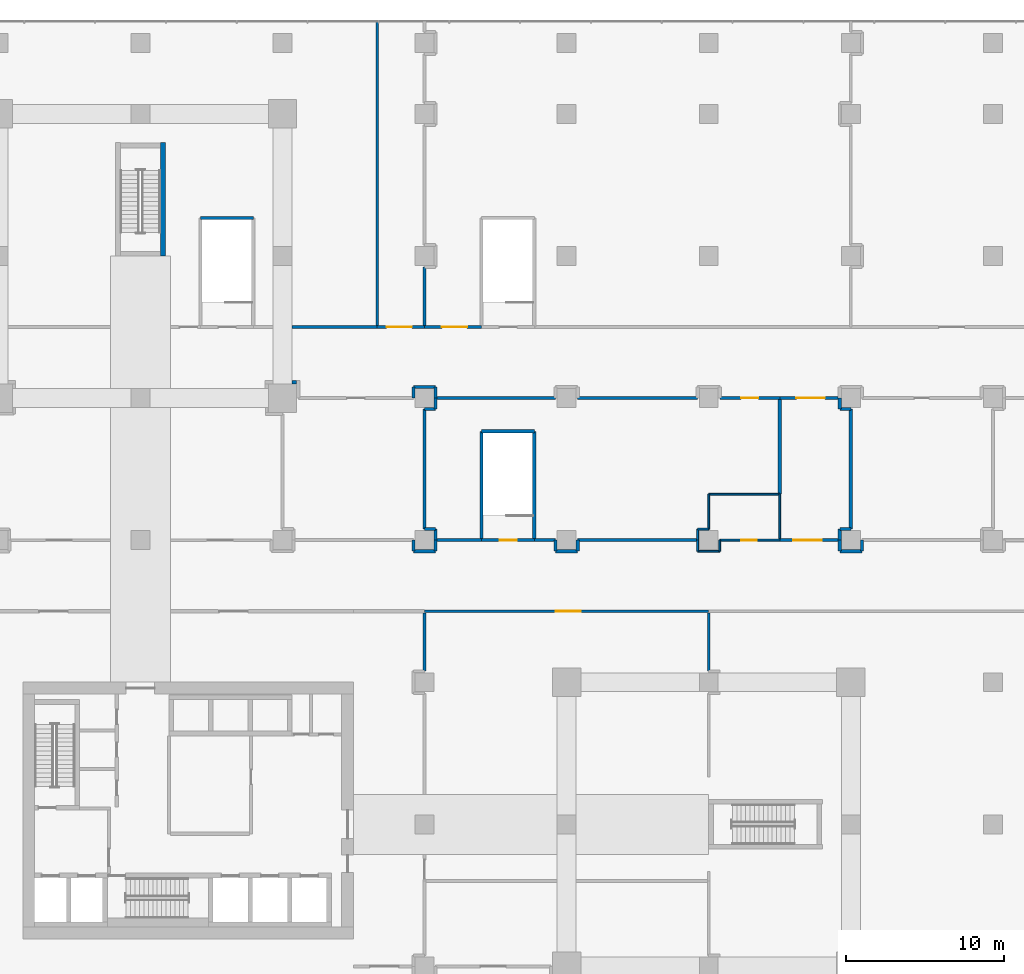
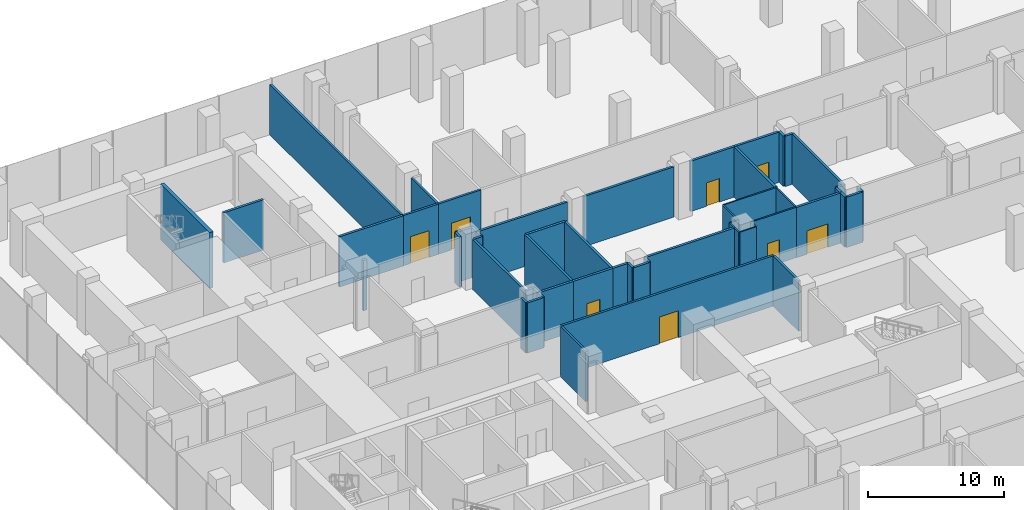
# One storey, part 27 of 36: 55 walls, 8 doors, 8 openings.
"""IFC4 building model written with IfcOpenShell, lengths in metres."""

import ifcopenshell
import ifcopenshell.guid

model = None  # the IFC model being written
_history = None  # IfcOwnerHistory: only IFC2X3 demands one
_inside = {}  # id of a spatial element -> (the spatial element, [elements in it])
_under = {}  # id of a project, library or spatial element -> (it, [spatial elements below it])
_declared = {}  # id of a project -> (the project, [libraries it declares])
_typed = {}  # id of a type object -> (the type object, [elements of that type])
_made_of = {}  # id of a material, layer set ... -> (it, [elements and type objects made of it])


def new_model(schema):
    """Start an empty IFC model of exactly this schema.

    Asked for "IFC4X3", IfcOpenShell would pick the latest addendum, in which some entities
    have other attributes; the version numbers below select the first issue.
    IFC2X3 requires an IfcOwnerHistory on every rooted entity: one is made here for all.
    """
    global model, _history
    if schema == "IFC4X3":
        model = ifcopenshell.file(schema_version=(4, 3, 0, 0))
    else:
        model = ifcopenshell.file(schema=schema)
    _inside.clear()
    _under.clear()
    _declared.clear()
    _typed.clear()
    _made_of.clear()
    _history = None
    if model.schema == "IFC2X3":
        org = make("IfcOrganization", Name="unknown")
        user = make(
            "IfcPersonAndOrganization",
            ThePerson=make("IfcPerson", FamilyName="unknown"),
            TheOrganization=org,
        )
        app = make(
            "IfcApplication",
            ApplicationDeveloper=org,
            Version="unknown",
            ApplicationFullName="unknown",
            ApplicationIdentifier="unknown",
        )
        _history = make(
            "IfcOwnerHistory",
            OwningUser=user,
            OwningApplication=app,
            ChangeAction="ADDED",
            CreationDate=0,
        )
    return model


def make(cls, **values):
    """One entity of the class cls with the attributes given. An attribute that is None is left unset."""
    return model.create_entity(
        cls, **{name: value for name, value in values.items() if value is not None}
    )


def rooted(cls, **values):
    """An entity with a GlobalId (a new one), such as an element, a storey or a relation."""
    return make(cls, GlobalId=ifcopenshell.guid.new(), OwnerHistory=_history, **values)


def si_unit(unit_type, name, prefix=None):
    """IfcSIUnit, for example si_unit("LENGTHUNIT", "METRE", prefix="MILLI")."""
    return make("IfcSIUnit", UnitType=unit_type, Prefix=prefix, Name=name)


def assignment(units):
    """IfcUnitAssignment: the units of a project."""
    return None if units is None else make("IfcUnitAssignment", Units=units)


def point(xyz):
    """IfcCartesianPoint."""
    return None if xyz is None else make("IfcCartesianPoint", Coordinates=xyz)


def direction(xyz):
    """IfcDirection."""
    return None if xyz is None else make("IfcDirection", DirectionRatios=xyz)


def frame(location, z_axis=None, x_axis=None):
    """IfcAxis2Placement3D, a coordinate frame: its origin and axes. An axis left out is left unset."""
    return make(
        "IfcAxis2Placement3D",
        Location=point(location),
        Axis=direction(z_axis),
        RefDirection=direction(x_axis),
    )


def frame_2d(location, x_axis=None):
    """IfcAxis2Placement2D, a coordinate frame in the plane: its origin and x axis."""
    return make(
        "IfcAxis2Placement2D", Location=point(location), RefDirection=direction(x_axis)
    )


def origin():
    """The frame at (0, 0, 0) with its axes left unset."""
    return frame((0.0, 0.0, 0.0))


def place(relative_to, where):
    """IfcLocalPlacement: puts the frame where relative to a parent placement (None: the world)."""
    return make(
        "IfcLocalPlacement", PlacementRelTo=relative_to, RelativePlacement=where
    )


def context(
    kind, dimensions, precision=None, world=None, true_north=None, identifier=None
):
    """IfcGeometricRepresentationContext, for example the 3D "Model" context."""
    return make(
        "IfcGeometricRepresentationContext",
        ContextIdentifier=identifier,
        ContextType=kind,
        CoordinateSpaceDimension=dimensions,
        Precision=precision,
        WorldCoordinateSystem=world,
        TrueNorth=true_north,
    )


def subcontext(parent, identifier, kind, view, scale=None):
    """IfcGeometricRepresentationSubContext, for example "Body" below "Model"."""
    return make(
        "IfcGeometricRepresentationSubContext",
        ContextIdentifier=identifier,
        ContextType=kind,
        ParentContext=parent,
        TargetScale=scale,
        TargetView=view,
    )


def project(units=None, contexts=None):
    """IfcProject with its units and contexts."""
    return rooted(
        "IfcProject",
        Name="project",
        RepresentationContexts=contexts,
        UnitsInContext=assignment(units),
    )


def spatial(cls, under=None, at=None, **own):
    """A site, building, storey or space (cls), placed at a placement, below another one or the project."""
    s = rooted(cls, ObjectPlacement=at, **own)
    if under is not None:
        _under.setdefault(under.id(), (under, []))[1].append(s)
    return s


def profile(cls, at=None, kind="AREA", **sizes):
    """A parametric profile (cls). Its sizes go by their IFC names, for example OverallWidth=200.0."""
    return make(cls, ProfileType=kind, Position=at, **sizes)


def rectangle(**sizes):
    """IfcRectangleProfileDef."""
    return profile("IfcRectangleProfileDef", **sizes)


def extrude(swept, where, along, depth):
    """IfcExtrudedAreaSolid: the profile swept, set in the frame where, extruded along a direction by depth."""
    return make(
        "IfcExtrudedAreaSolid",
        SweptArea=swept,
        Position=where,
        ExtrudedDirection=direction(along),
        Depth=depth,
    )


def shape(context_of_items, identifier, shape_type, items):
    """IfcShapeRepresentation: the items that make up one representation, for example the "Body"."""
    return make(
        "IfcShapeRepresentation",
        ContextOfItems=context_of_items,
        RepresentationIdentifier=identifier,
        RepresentationType=shape_type,
        Items=items,
    )


def material(Name=None, Category=None):
    """IfcMaterial."""
    return make("IfcMaterial", Name=Name, Category=Category)


def layer(
    of_material, thickness, ventilated=None, Name=None, Category=None, Priority=None
):
    """IfcMaterialLayer: one layer of a wall or slab, of a material (None: an air gap)."""
    return make(
        "IfcMaterialLayer",
        Material=of_material,
        LayerThickness=thickness,
        IsVentilated=ventilated,
        Name=Name,
        Category=Category,
        Priority=Priority,
    )


def layer_set(layers, Name=None):
    """IfcMaterialLayerSet."""
    return make("IfcMaterialLayerSet", MaterialLayers=layers, LayerSetName=Name)


def made_of(thing, what):
    """Note that an element or type object is made of a material, layer set ...; save() writes the relation."""
    if what is not None:
        _made_of.setdefault(what.id(), (what, []))[1].append(thing)
    return thing


def type_object(cls, material=None, **own):
    """A type object (cls), such as IfcWallType, which elements share."""
    return made_of(rooted(cls, **own), material)


def element(
    cls,
    number,
    at=None,
    inside=None,
    cuts=None,
    type_object=None,
    material=None,
    context=None,
    identifier="Body",
    shape_type=None,
    held_by="IfcProductDefinitionShape",
    body=None,
    shapes=None,
    **own,
):
    """One element of the class cls, such as IfcWall. Its Tag is "e" and its number.

    at: its placement. inside: the storey or other place that contains it. cuts: it is an
    opening in that element (IfcRelVoidsElement). A single representation is given by context,
    identifier, shape_type and body (its items); several are given by shapes. held_by: the class
    of the entity that holds the representations. save() writes the other relations.
    """
    e = rooted(cls, Tag="e%d" % number, ObjectPlacement=at, **own)
    if body is not None:
        shapes = [shape(context, identifier, shape_type, body)]
    if shapes is not None:
        e.Representation = make(held_by, Representations=shapes)
    if inside is not None:
        _inside.setdefault(inside.id(), (inside, []))[1].append(e)
    if cuts is not None:
        rooted(
            "IfcRelVoidsElement", RelatingBuildingElement=cuts, RelatedOpeningElement=e
        )
    if type_object is not None:
        _typed.setdefault(type_object.id(), (type_object, []))[1].append(e)
    return made_of(e, material)


def fill(opening, filler):
    """IfcRelFillsElement: the door or window that sits in an opening."""
    return rooted(
        "IfcRelFillsElement",
        RelatingOpeningElement=opening,
        RelatedBuildingElement=filler,
    )


def aggregate(whole, parts):
    """IfcRelAggregates: a whole, such as a stair, and the parts it consists of."""
    return rooted("IfcRelAggregates", RelatingObject=whole, RelatedObjects=parts)


def save(model, path):
    """Write the relations noted so far, then the file.

    IfcRelAggregates (storeys below a building ...), IfcRelContainedInSpatialStructure (elements
    in a storey), IfcRelDefinesByType, IfcRelAssociatesMaterial and IfcRelDeclares: one each for
    every whole, place, type object, material and project.
    """
    for whole, parts in _under.values():
        aggregate(whole, parts)
    for where, things in _inside.values():
        rooted(
            "IfcRelContainedInSpatialStructure",
            RelatedElements=things,
            RelatingStructure=where,
        )
    for kind, things in _typed.values():
        rooted("IfcRelDefinesByType", RelatedObjects=things, RelatingType=kind)
    for what, things in _made_of.values():
        rooted("IfcRelAssociatesMaterial", RelatedObjects=things, RelatingMaterial=what)
    for by, libraries in _declared.values():
        rooted("IfcRelDeclares", RelatingContext=by, RelatedDefinitions=libraries)
    model.write(path)


model = new_model("IFC4")

# Units and contexts
model_context = context("Model", 3, precision=1e-05, world=origin(), true_north=direction((0.0, 1.0)))
body_context = subcontext(model_context, "Body", "Model", "MODEL_VIEW")
ifc_project = project(units=[si_unit("LENGTHUNIT", "METRE"), si_unit("AREAUNIT", "SQUARE_METRE"), si_unit("VOLUMEUNIT", "CUBIC_METRE"), si_unit("PLANEANGLEUNIT", "RADIAN"), si_unit("MASSUNIT", "GRAM", prefix="KILO")], contexts=[model_context])

# Site, building, storey
site_placement = place(None, origin())
site = spatial("IfcSite", under=ifc_project, at=site_placement, CompositionType="ELEMENT")
building_placement = place(site_placement, origin())
building = spatial("IfcBuilding", under=site, at=building_placement, Name="Plateau Cross Towers", CompositionType="ELEMENT")
storey_placement = place(building_placement, frame((0.0, 0.0, 21.800048828125)))
storey = spatial("IfcBuildingStorey", under=building, at=storey_placement, Name="L04", CompositionType="ELEMENT", Elevation=21.800048828125)

# Walls
ifc_material_1 = material(Name="Dense masonry block, plastered, acoustic lining", Category="masonry")
ifc_layer_1 = layer(ifc_material_1, 0.179931640625)
ifc_layer_set_1 = layer_set([ifc_layer_1], Name="Dense masonry block, plastered, acoustic lining")
wall_type_1 = type_object("IfcWallType", Name="Plant room acoustic wall 180", PredefinedType="PARTITIONING", material=ifc_layer_set_1)
wall_1_placement = place(storey_placement, frame((27.0, 44.300048828125, 0.0), z_axis=(0.0, 0.0, 1.0), x_axis=(0.0, -1.0, 0.0)))
element("IfcWall", 1, at=wall_1_placement, inside=storey, type_object=wall_type_1, Name="Partition wall", PredefinedType="PARTITIONING", context=body_context, shape_type="SweptSolid", body=[
    extrude(rectangle(XDim=3.800048828125, YDim=0.179931640625, at=frame_2d((1.89990234375, 0.0))), origin(), (0.0, 0.0, 1.0), 4.5),
])
wall_2_placement = place(storey_placement, frame((24.0, 59.85009765625, 0.0), z_axis=(0.0, 0.0, 1.0), x_axis=(0.0, -1.0, 0.0)))
element("IfcWall", 2, at=wall_2_placement, inside=storey, type_object=wall_type_1, Name="Partition wall", PredefinedType="PARTITIONING", context=body_context, shape_type="SweptSolid", body=[
    extrude(rectangle(XDim=19.35009765625, YDim=0.179931640625, at=frame_2d((9.675048828125, 0.0))), origin(), (0.0, 0.0, 1.0), 4.5),
])

# Wall, opening, door
wall_3_placement = place(storey_placement, frame((45.0, 22.5, 0.0), z_axis=(0.0, 0.0, 1.0), x_axis=(-1.0, 0.0, 0.0)))
wall_3 = element("IfcWall", 3, at=wall_3_placement, inside=storey, type_object=wall_type_1, Name="Partition wall", PredefinedType="PARTITIONING", context=body_context, shape_type="SweptSolid", body=[
    extrude(rectangle(XDim=18.0, YDim=0.179931640625, at=frame_2d((9.0, 0.0))), origin(), (0.0, 0.0, 1.0), 4.5),
])
opening_1_placement = place(wall_3_placement, frame((8.10009765625, 0.0, 0.0)))
opening_1 = element("IfcOpeningElement", 4, at=opening_1_placement, cuts=wall_3, Name="Opening 04-28", PredefinedType="OPENING", context=body_context, shape_type="SweptSolid", body=[
    extrude(rectangle(XDim=1.60009765625, YDim=2.39990234375, at=frame_2d((0.800048828125, 1.199951171875))), frame((0.0, 0.099853515625, 0.0), z_axis=(0.0, -1.0, 0.0), x_axis=(1.0, 0.0, 0.0)), (0.0, 0.0, 1.0), 0.199951171875),
])
ifc_material_2 = material(Name="Steel, fire-resisting double leaf with louvre panel", Category="steel")
door_type_1 = type_object("IfcDoorType", Name="Plant room double door 1600x2400", OperationType="NOTDEFINED", PredefinedType="DOOR", material=ifc_material_2)
door_1_placement = place(opening_1_placement, origin())
door_1 = element("IfcDoor", 5, at=door_1_placement, inside=storey, type_object=door_type_1, Name="Door 04-28", OperationType="SINGLE_SWING_LEFT", OverallHeight=2.39990234375, OverallWidth=1.60009765625, PredefinedType="DOOR", context=body_context, shape_type="SweptSolid", body=[
    extrude(rectangle(XDim=1.60009765625, YDim=2.39990234375, at=frame_2d((0.800048828125, 1.199951171875))), frame((0.0, 0.02490234375, 0.0), z_axis=(0.0, -1.0, 0.0), x_axis=(1.0, 0.0, 0.0)), (0.0, 0.0, 1.0), 0.050048828125),
])
fill(opening_1, door_1)

# Walls
for number, where, z_axis, x_axis, name in (
    (6, (27.0, 22.39990234375, 0.0), (0.0, 0.0, 1.0), (0.0, -1.0, 0.0), "Partition wall"),
    (7, (45.0, 22.39990234375, 0.0), (0.0, 0.0, 1.0), (0.0, -1.0, 0.0), "Partition wall"),
):
    element("IfcWall", number, at=place(storey_placement, frame(where, z_axis=z_axis, x_axis=x_axis)), inside=storey, type_object=wall_type_1, Name=name, PredefinedType="PARTITIONING", context=body_context, shape_type="SweptSolid", body=[
        extrude(rectangle(XDim=3.699951171875, YDim=0.179931640625, at=frame_2d((1.85009765625, 0.0))), origin(), (0.0, 0.0, 1.0), 4.5),
    ])

# Wall, opening, door
wall_4_placement = place(storey_placement, frame((27.0, 40.5, 0.0), z_axis=(0.0, 0.0, 1.0), x_axis=(1.0, 0.0, 0.0)))
wall_4 = element("IfcWall", 8, at=wall_4_placement, inside=storey, type_object=wall_type_1, Name="Partition wall", PredefinedType="PARTITIONING", context=body_context, shape_type="SweptSolid", body=[
    extrude(rectangle(XDim=3.60009765625, YDim=0.179931640625, at=frame_2d((1.800048828125, 0.0))), origin(), (0.0, 0.0, 1.0), 4.5),
])
opening_2_placement = place(wall_4_placement, frame((1.10009765625, 0.0, 0.0)))
opening_2 = element("IfcOpeningElement", 9, at=opening_2_placement, cuts=wall_4, Name="Opening 04-33", PredefinedType="OPENING", context=body_context, shape_type="SweptSolid", body=[
    extrude(rectangle(XDim=1.60009765625, YDim=2.39990234375, at=frame_2d((0.800048828125, 1.199951171875))), frame((0.0, 0.099853515625, 0.0), z_axis=(0.0, -1.0, 0.0), x_axis=(1.0, 0.0, 0.0)), (0.0, 0.0, 1.0), 0.199951171875),
])
door_2_placement = place(opening_2_placement, origin())
door_2 = element("IfcDoor", 10, at=door_2_placement, inside=storey, type_object=door_type_1, Name="Door 04-33", OperationType="SINGLE_SWING_LEFT", OverallHeight=2.39990234375, OverallWidth=1.60009765625, PredefinedType="DOOR", context=body_context, shape_type="SweptSolid", body=[
    extrude(rectangle(XDim=1.60009765625, YDim=2.39990234375, at=frame_2d((0.800048828125, 1.199951171875))), frame((0.0, 0.02490234375, 0.0), z_axis=(0.0, -1.0, 0.0), x_axis=(1.0, 0.0, 0.0)), (0.0, 0.0, 1.0), 0.050048828125),
])
fill(opening_2, door_2)

wall_5_placement = place(storey_placement, frame((24.0, 40.5, 0.0), z_axis=(0.0, 0.0, 1.0), x_axis=(1.0, 0.0, 0.0)))
wall_5 = element("IfcWall", 11, at=wall_5_placement, inside=storey, type_object=wall_type_1, Name="Partition wall", PredefinedType="PARTITIONING", context=body_context, shape_type="SweptSolid", body=[
    extrude(rectangle(XDim=3.0, YDim=0.179931640625, at=frame_2d((1.5, 0.0))), origin(), (0.0, 0.0, 1.0), 4.5),
])
opening_3_placement = place(wall_5_placement, frame((0.60009765625, 0.0, 0.0)))
opening_3 = element("IfcOpeningElement", 12, at=opening_3_placement, cuts=wall_5, Name="Opening 04-32", PredefinedType="OPENING", context=body_context, shape_type="SweptSolid", body=[
    extrude(rectangle(XDim=1.60009765625, YDim=2.39990234375, at=frame_2d((0.800048828125, 1.199951171875))), frame((0.0, 0.099853515625, 0.0), z_axis=(0.0, -1.0, 0.0), x_axis=(1.0, 0.0, 0.0)), (0.0, 0.0, 1.0), 0.199951171875),
])
door_3_placement = place(opening_3_placement, origin())
door_3 = element("IfcDoor", 13, at=door_3_placement, inside=storey, type_object=door_type_1, Name="Door 04-32", OperationType="SINGLE_SWING_LEFT", OverallHeight=2.39990234375, OverallWidth=1.60009765625, PredefinedType="DOOR", context=body_context, shape_type="SweptSolid", body=[
    extrude(rectangle(XDim=1.60009765625, YDim=2.39990234375, at=frame_2d((0.800048828125, 1.199951171875))), frame((0.0, 0.02490234375, 0.0), z_axis=(0.0, -1.0, 0.0), x_axis=(1.0, 0.0, 0.0)), (0.0, 0.0, 1.0), 0.050048828125),
])
fill(opening_3, door_3)

ifc_material_3 = material(Name="Gypsum board on steel studs, two layers each side", Category="steel")
ifc_layer_2 = layer(ifc_material_3, 0.199951171875)
ifc_layer_set_2 = layer_set([ifc_layer_2], Name="Gypsum board on steel studs, two layers each side")
wall_type_2 = type_object("IfcWallType", Name="Podium compartment wall 200", PredefinedType="PARTITIONING", material=ifc_layer_set_2)
wall_6_placement = place(storey_placement, frame((49.5, 36.0, 0.0), z_axis=(0.0, 0.0, 1.0), x_axis=(-1.0, 0.0, 0.0)))
wall_6 = element("IfcWall", 14, at=wall_6_placement, inside=storey, type_object=wall_type_2, Name="Partition wall", PredefinedType="PARTITIONING", context=body_context, shape_type="SweptSolid", body=[
    extrude(rectangle(XDim=3.800048828125, YDim=0.199951171875, at=frame_2d((1.89990234375, 0.0))), origin(), (0.0, 0.0, 1.0), 4.5),
])
opening_4_placement = place(wall_6_placement, frame((1.35009765625, 0.0, 0.0)))
opening_4 = element("IfcOpeningElement", 15, at=opening_4_placement, cuts=wall_6, Name="Opening 04-20", PredefinedType="OPENING", context=body_context, shape_type="SweptSolid", body=[
    extrude(rectangle(XDim=1.10009765625, YDim=2.10009765625, at=frame_2d((0.550048828125, 1.050048828125))), frame((0.0, 0.10986328125, 0.0), z_axis=(0.0, -1.0, 0.0), x_axis=(1.0, 0.0, 0.0)), (0.0, 0.0, 1.0), 0.219970703125),
])
ifc_material_4 = material(Name="Timber, fire-resisting leaf", Category="wood")
door_type_2 = type_object("IfcDoorType", Name="Podium fire door 1100", OperationType="NOTDEFINED", PredefinedType="DOOR", material=ifc_material_4)
door_4_placement = place(opening_4_placement, origin())
door_4 = element("IfcDoor", 16, at=door_4_placement, inside=storey, type_object=door_type_2, Name="Door 04-20", OperationType="SINGLE_SWING_LEFT", OverallHeight=2.10009765625, OverallWidth=1.10009765625, PredefinedType="DOOR", context=body_context, shape_type="SweptSolid", body=[
    extrude(rectangle(XDim=1.10009765625, YDim=2.10009765625, at=frame_2d((0.550048828125, 1.050048828125))), frame((0.0, 0.02490234375, 0.0), z_axis=(0.0, -1.0, 0.0), x_axis=(1.0, 0.0, 0.0)), (0.0, 0.0, 1.0), 0.050048828125),
])
fill(opening_4, door_4)

# Walls
ifc_material_5 = material(Name="Gypsum board on steel studs", Category="steel")
ifc_layer_3 = layer(ifc_material_5, 0.199951171875)
ifc_layer_set_3 = layer_set([ifc_layer_3], Name="Gypsum board on steel studs")
wall_type_3 = type_object("IfcWallType", Name="Podium partition 200", PredefinedType="PARTITIONING", material=ifc_layer_set_3)
for number, where, z_axis, x_axis, name in (
    (17, (44.300048828125, 36.0, 0.0), (0.0, 0.0, 1.0), (-1.0, 0.0, 0.0), "Partition wall"),
    (18, (35.300048828125, 36.0, 0.0), (0.0, 0.0, 1.0), (-1.0, 0.0, 0.0), "Partition wall"),
):
    element("IfcWall", number, at=place(storey_placement, frame(where, z_axis=z_axis, x_axis=x_axis)), inside=storey, type_object=wall_type_3, Name=name, PredefinedType="PARTITIONING", context=body_context, shape_type="SweptSolid", body=[
        extrude(rectangle(XDim=7.60009765625, YDim=0.199951171875, at=frame_2d((3.800048828125, 0.0))), origin(), (0.0, 0.0, 1.0), 4.5),
    ])
wall_7_placement = place(storey_placement, frame((27.699951171875, 36.0, 0.0), z_axis=(0.0, 0.0, 1.0), x_axis=(0.0, 1.0, 0.0)))
element("IfcWall", 19, at=wall_7_placement, inside=storey, type_object=wall_type_3, Name="Partition wall", PredefinedType="PARTITIONING", context=body_context, shape_type="SweptSolid", body=[
    extrude(rectangle(XDim=0.699951171875, YDim=0.199951171875, at=frame_2d((0.35009765625, 0.0))), origin(), (0.0, 0.0, 1.0), 4.5),
])
wall_8_placement = place(storey_placement, frame((27.699951171875, 36.699951171875, 0.0), z_axis=(0.0, 0.0, 1.0), x_axis=(-1.0, 0.0, 0.0)))
element("IfcWall", 20, at=wall_8_placement, inside=storey, type_object=wall_type_3, Name="Partition wall", PredefinedType="PARTITIONING", context=body_context, shape_type="SweptSolid", body=[
    extrude(rectangle(XDim=1.39990234375, YDim=0.199951171875, at=frame_2d((0.699951171875, 0.0))), origin(), (0.0, 0.0, 1.0), 4.5),
])
wall_9_placement = place(storey_placement, frame((26.300048828125, 36.699951171875, 0.0), z_axis=(0.0, 0.0, 1.0), x_axis=(0.0, -1.0, 0.0)))
element("IfcWall", 21, at=wall_9_placement, inside=storey, type_object=wall_type_3, Name="Partition wall", PredefinedType="PARTITIONING", context=body_context, shape_type="SweptSolid", body=[
    extrude(rectangle(XDim=0.699951171875, YDim=0.199951171875, at=frame_2d((0.35009765625, 0.0))), origin(), (0.0, 0.0, 1.0), 4.5),
])
wall_10_placement = place(storey_placement, frame((18.89990234375, 37.0, 0.0), z_axis=(0.0, 0.0, 1.0), x_axis=(-1.0, 0.0, 0.0)))
element("IfcWall", 22, at=wall_10_placement, inside=storey, type_object=wall_type_3, Name="Partition wall", PredefinedType="PARTITIONING", context=body_context, shape_type="SweptSolid", body=[
    extrude(rectangle(XDim=0.2998046875, YDim=0.199951171875, at=frame_2d((0.14990234375, 0.0))), origin(), (0.0, 0.0, 1.0), 4.5),
])
wall_11_placement = place(storey_placement, frame((33.949951171875, 27.0, 0.0), z_axis=(0.0, 0.0, 1.0), x_axis=(1.0, 0.0, 0.0)))
element("IfcWall", 23, at=wall_11_placement, inside=storey, type_object=wall_type_3, Name="Partition wall", PredefinedType="PARTITIONING", context=body_context, shape_type="SweptSolid", body=[
    extrude(rectangle(XDim=1.35009765625, YDim=0.199951171875, at=frame_2d((0.675048828125, 0.0))), origin(), (0.0, 0.0, 1.0), 4.5),
])
wall_12_placement = place(storey_placement, frame((35.300048828125, 27.0, 0.0), z_axis=(0.0, 0.0, 1.0), x_axis=(0.0, -1.0, 0.0)))
element("IfcWall", 24, at=wall_12_placement, inside=storey, type_object=wall_type_3, Name="Partition wall", PredefinedType="PARTITIONING", context=body_context, shape_type="SweptSolid", body=[
    extrude(rectangle(XDim=0.699951171875, YDim=0.199951171875, at=frame_2d((0.35009765625, 0.0))), origin(), (0.0, 0.0, 1.0), 4.5),
])
wall_13_placement = place(storey_placement, frame((35.300048828125, 26.300048828125, 0.0), z_axis=(0.0, 0.0, 1.0), x_axis=(1.0, 0.0, 0.0)))
element("IfcWall", 25, at=wall_13_placement, inside=storey, type_object=wall_type_3, Name="Partition wall", PredefinedType="PARTITIONING", context=body_context, shape_type="SweptSolid", body=[
    extrude(rectangle(XDim=1.39990234375, YDim=0.199951171875, at=frame_2d((0.699951171875, 0.0))), origin(), (0.0, 0.0, 1.0), 4.5),
])
wall_14_placement = place(storey_placement, frame((36.699951171875, 26.300048828125, 0.0), z_axis=(0.0, 0.0, 1.0), x_axis=(0.0, 1.0, 0.0)))
element("IfcWall", 26, at=wall_14_placement, inside=storey, type_object=wall_type_3, Name="Partition wall", PredefinedType="PARTITIONING", context=body_context, shape_type="SweptSolid", body=[
    extrude(rectangle(XDim=0.699951171875, YDim=0.199951171875, at=frame_2d((0.35009765625, 0.0))), origin(), (0.0, 0.0, 1.0), 4.5),
])
wall_15_placement = place(storey_placement, frame((36.699951171875, 27.0, 0.0), z_axis=(0.0, 0.0, 1.0), x_axis=(1.0, 0.0, 0.0)))
element("IfcWall", 27, at=wall_15_placement, inside=storey, type_object=wall_type_3, Name="Partition wall", PredefinedType="PARTITIONING", context=body_context, shape_type="SweptSolid", body=[
    extrude(rectangle(XDim=7.60009765625, YDim=0.199951171875, at=frame_2d((3.800048828125, 0.0))), origin(), (0.0, 0.0, 1.0), 4.5),
])
for number, where, z_axis, x_axis, name in (
    (28, (53.300048828125, 36.0, 0.0), (0.0, 0.0, 1.0), (0.0, -1.0, 0.0), "Partition wall"),
    (29, (53.300048828125, 35.300048828125, 0.0), (0.0, 0.0, 1.0), (1.0, 0.0, 0.0), "Partition wall"),
):
    element("IfcWall", number, at=place(storey_placement, frame(where, z_axis=z_axis, x_axis=x_axis)), inside=storey, type_object=wall_type_3, Name=name, PredefinedType="PARTITIONING", context=body_context, shape_type="SweptSolid", body=[
        extrude(rectangle(XDim=0.699951171875, YDim=0.199951171875, at=frame_2d((0.35009765625, 0.0))), origin(), (0.0, 0.0, 1.0), 4.5),
    ])
wall_16_placement = place(storey_placement, frame((54.0, 35.300048828125, 0.0), z_axis=(0.0, 0.0, 1.0), x_axis=(0.0, -1.0, 0.0)))
element("IfcWall", 30, at=wall_16_placement, inside=storey, type_object=wall_type_3, Name="Partition wall", PredefinedType="PARTITIONING", context=body_context, shape_type="SweptSolid", body=[
    extrude(rectangle(XDim=7.60009765625, YDim=0.199951171875, at=frame_2d((3.800048828125, 0.0))), origin(), (0.0, 0.0, 1.0), 4.5),
])
for number, where, z_axis, x_axis, name in (
    (31, (54.0, 27.699951171875, 0.0), (0.0, 0.0, 1.0), (-1.0, 0.0, 0.0), "Partition wall"),
    (32, (53.300048828125, 27.699951171875, 0.0), (0.0, 0.0, 1.0), (0.0, -1.0, 0.0), "Partition wall"),
    (33, (26.300048828125, 27.0, 0.0), (0.0, 0.0, 1.0), (0.0, -1.0, 0.0), "Partition wall"),
):
    element("IfcWall", number, at=place(storey_placement, frame(where, z_axis=z_axis, x_axis=x_axis)), inside=storey, type_object=wall_type_3, Name=name, PredefinedType="PARTITIONING", context=body_context, shape_type="SweptSolid", body=[
        extrude(rectangle(XDim=0.699951171875, YDim=0.199951171875, at=frame_2d((0.35009765625, 0.0))), origin(), (0.0, 0.0, 1.0), 4.5),
    ])
wall_17_placement = place(storey_placement, frame((26.300048828125, 26.300048828125, 0.0), z_axis=(0.0, 0.0, 1.0), x_axis=(1.0, 0.0, 0.0)))
element("IfcWall", 34, at=wall_17_placement, inside=storey, type_object=wall_type_3, Name="Partition wall", PredefinedType="PARTITIONING", context=body_context, shape_type="SweptSolid", body=[
    extrude(rectangle(XDim=1.39990234375, YDim=0.199951171875, at=frame_2d((0.699951171875, 0.0))), origin(), (0.0, 0.0, 1.0), 4.5),
])
for number, where, z_axis, x_axis, name in (
    (35, (27.699951171875, 26.300048828125, 0.0), (0.0, 0.0, 1.0), (0.0, 1.0, 0.0), "Partition wall"),
    (36, (53.300048828125, 27.0, 0.0), (0.0, 0.0, 1.0), (0.0, -1.0, 0.0), "Partition wall"),
):
    element("IfcWall", number, at=place(storey_placement, frame(where, z_axis=z_axis, x_axis=x_axis)), inside=storey, type_object=wall_type_3, Name=name, PredefinedType="PARTITIONING", context=body_context, shape_type="SweptSolid", body=[
        extrude(rectangle(XDim=0.699951171875, YDim=0.199951171875, at=frame_2d((0.35009765625, 0.0))), origin(), (0.0, 0.0, 1.0), 4.5),
    ])
wall_18_placement = place(storey_placement, frame((53.300048828125, 26.300048828125, 0.0), z_axis=(0.0, 0.0, 1.0), x_axis=(1.0, 0.0, 0.0)))
element("IfcWall", 37, at=wall_18_placement, inside=storey, type_object=wall_type_3, Name="Partition wall", PredefinedType="PARTITIONING", context=body_context, shape_type="SweptSolid", body=[
    extrude(rectangle(XDim=1.39990234375, YDim=0.199951171875, at=frame_2d((0.699951171875, 0.0))), origin(), (0.0, 0.0, 1.0), 4.5),
])
for number, where, z_axis, x_axis, name in (
    (38, (54.699951171875, 26.300048828125, 0.0), (0.0, 0.0, 1.0), (0.0, 1.0, 0.0), "Partition wall"),
    (39, (27.699951171875, 36.0, 0.0), (0.0, 0.0, 1.0), (0.0, -1.0, 0.0), "Partition wall"),
    (40, (27.699951171875, 35.300048828125, 0.0), (0.0, 0.0, 1.0), (-1.0, 0.0, 0.0), "Partition wall"),
):
    element("IfcWall", number, at=place(storey_placement, frame(where, z_axis=z_axis, x_axis=x_axis)), inside=storey, type_object=wall_type_3, Name=name, PredefinedType="PARTITIONING", context=body_context, shape_type="SweptSolid", body=[
        extrude(rectangle(XDim=0.699951171875, YDim=0.199951171875, at=frame_2d((0.35009765625, 0.0))), origin(), (0.0, 0.0, 1.0), 4.5),
    ])
wall_19_placement = place(storey_placement, frame((27.0, 35.300048828125, 0.0), z_axis=(0.0, 0.0, 1.0), x_axis=(0.0, -1.0, 0.0)))
element("IfcWall", 41, at=wall_19_placement, inside=storey, type_object=wall_type_3, Name="Partition wall", PredefinedType="PARTITIONING", context=body_context, shape_type="SweptSolid", body=[
    extrude(rectangle(XDim=7.60009765625, YDim=0.199951171875, at=frame_2d((3.800048828125, 0.0))), origin(), (0.0, 0.0, 1.0), 4.5),
])
for number, where, z_axis, x_axis, name in (
    (42, (27.0, 27.699951171875, 0.0), (0.0, 0.0, 1.0), (1.0, 0.0, 0.0), "Partition wall"),
    (43, (27.699951171875, 27.699951171875, 0.0), (0.0, 0.0, 1.0), (0.0, -1.0, 0.0), "Partition wall"),
):
    element("IfcWall", number, at=place(storey_placement, frame(where, z_axis=z_axis, x_axis=x_axis)), inside=storey, type_object=wall_type_3, Name=name, PredefinedType="PARTITIONING", context=body_context, shape_type="SweptSolid", body=[
        extrude(rectangle(XDim=0.699951171875, YDim=0.199951171875, at=frame_2d((0.35009765625, 0.0))), origin(), (0.0, 0.0, 1.0), 4.5),
    ])
wall_20_placement = place(storey_placement, frame((18.60009765625, 40.5, 0.0), z_axis=(0.0, 0.0, 1.0), x_axis=(1.0, 0.0, 0.0)))
element("IfcWall", 44, at=wall_20_placement, inside=storey, type_object=wall_type_3, Name="Partition wall", PredefinedType="PARTITIONING", context=body_context, shape_type="SweptSolid", body=[
    extrude(rectangle(XDim=5.39990234375, YDim=0.199951171875, at=frame_2d((2.699951171875, 0.0))), origin(), (0.0, 0.0, 1.0), 4.5),
])
wall_21_placement = place(storey_placement, frame((49.5, 29.910888671875, 0.0), z_axis=(0.0, 0.0, 1.0), x_axis=(0.0, 1.0, 0.0)))
element("IfcWall", 45, at=wall_21_placement, inside=storey, type_object=wall_type_3, Name="Partition wall", PredefinedType="PARTITIONING", context=body_context, shape_type="SweptSolid", body=[
    extrude(rectangle(XDim=6.089111328125, YDim=0.199951171875, at=frame_2d((3.04443359375, 0.0))), origin(), (0.0, 0.0, 1.0), 4.5),
])

# Wall, opening, door
wall_22_placement = place(storey_placement, frame((53.199951171875, 36.0, 0.0), z_axis=(0.0, 0.0, 1.0), x_axis=(-1.0, 0.0, 0.0)))
wall_22 = element("IfcWall", 46, at=wall_22_placement, inside=storey, type_object=wall_type_3, Name="Partition wall", PredefinedType="PARTITIONING", context=body_context, shape_type="SweptSolid", body=[
    extrude(rectangle(XDim=3.699951171875, YDim=0.199951171875, at=frame_2d((1.85009765625, 0.0))), origin(), (0.0, 0.0, 1.0), 4.5),
])
opening_5_placement = place(wall_22_placement, frame((0.85009765625, 0.0, 0.0)))
opening_5 = element("IfcOpeningElement", 47, at=opening_5_placement, cuts=wall_22, Name="Opening 04-39", PredefinedType="OPENING", context=body_context, shape_type="SweptSolid", body=[
    extrude(rectangle(XDim=1.800048828125, YDim=2.10009765625, at=frame_2d((0.89990234375, 1.050048828125))), frame((0.0, 0.10986328125, 0.0), z_axis=(0.0, -1.0, 0.0), x_axis=(1.0, 0.0, 0.0)), (0.0, 0.0, 1.0), 0.219970703125),
])
ifc_material_6 = material(Name="Aluminium frame, toughened glass", Category="aluminium")
door_type_3 = type_object("IfcDoorType", Name="Podium door pair 1800", OperationType="NOTDEFINED", PredefinedType="DOOR", material=ifc_material_6)
door_5_placement = place(opening_5_placement, origin())
door_5 = element("IfcDoor", 48, at=door_5_placement, inside=storey, type_object=door_type_3, Name="Door 04-39", OperationType="DOUBLE_DOOR_SINGLE_SWING", OverallHeight=2.10009765625, OverallWidth=1.800048828125, PredefinedType="DOOR", context=body_context, shape_type="SweptSolid", body=[
    extrude(rectangle(XDim=1.800048828125, YDim=2.10009765625, at=frame_2d((0.89990234375, 1.050048828125))), frame((0.0, 0.02490234375, 0.0), z_axis=(0.0, -1.0, 0.0), x_axis=(1.0, 0.0, 0.0)), (0.0, 0.0, 1.0), 0.050048828125),
])
fill(opening_5, door_5)

wall_23_placement = place(storey_placement, frame((49.5, 27.0, 0.0), z_axis=(0.0, 0.0, 1.0), x_axis=(1.0, 0.0, 0.0)))
wall_23 = element("IfcWall", 49, at=wall_23_placement, inside=storey, type_object=wall_type_3, Name="Partition wall", PredefinedType="PARTITIONING", context=body_context, shape_type="SweptSolid", body=[
    extrude(rectangle(XDim=3.699951171875, YDim=0.199951171875, at=frame_2d((1.85009765625, 0.0))), origin(), (0.0, 0.0, 1.0), 4.5),
])
opening_6_placement = place(wall_23_placement, frame((0.85009765625, 0.0, 0.0)))
opening_6 = element("IfcOpeningElement", 50, at=opening_6_placement, cuts=wall_23, Name="Opening 04-40", PredefinedType="OPENING", context=body_context, shape_type="SweptSolid", body=[
    extrude(rectangle(XDim=1.800048828125, YDim=2.10009765625, at=frame_2d((0.89990234375, 1.050048828125))), frame((0.0, 0.10986328125, 0.0), z_axis=(0.0, -1.0, 0.0), x_axis=(1.0, 0.0, 0.0)), (0.0, 0.0, 1.0), 0.219970703125),
])
door_6_placement = place(opening_6_placement, origin())
door_6 = element("IfcDoor", 51, at=door_6_placement, inside=storey, type_object=door_type_3, Name="Door 04-40", OperationType="DOUBLE_DOOR_SINGLE_SWING", OverallHeight=2.10009765625, OverallWidth=1.800048828125, PredefinedType="DOOR", context=body_context, shape_type="SweptSolid", body=[
    extrude(rectangle(XDim=1.800048828125, YDim=2.10009765625, at=frame_2d((0.89990234375, 1.050048828125))), frame((0.0, 0.02490234375, 0.0), z_axis=(0.0, -1.0, 0.0), x_axis=(1.0, 0.0, 0.0)), (0.0, 0.0, 1.0), 0.050048828125),
])
fill(opening_6, door_6)

# Walls
wall_24_placement = place(storey_placement, frame((27.800048828125, 27.0, 0.0), z_axis=(0.0, 0.0, 1.0), x_axis=(1.0, 0.0, 0.0)))
element("IfcWall", 52, at=wall_24_placement, inside=storey, type_object=wall_type_3, Name="Partition wall", PredefinedType="PARTITIONING", context=body_context, shape_type="SweptSolid", body=[
    extrude(rectangle(XDim=2.800048828125, YDim=0.199951171875, at=frame_2d((1.39990234375, 0.0))), origin(), (0.0, 0.0, 1.0), 4.5),
])
ifc_material_7 = material(Name="Fire-rated plasterboard shaft wall system")
ifc_layer_4 = layer(ifc_material_7, 0.199951171875)
ifc_layer_set_4 = layer_set([ifc_layer_4], Name="Fire-rated plasterboard shaft wall system")
wall_type_4 = type_object("IfcWallType", Name="Podium stair shaft wall 200", PredefinedType="PARTITIONING", material=ifc_layer_set_4)
wall_25_placement = place(storey_placement, frame((30.60009765625, 27.0, 0.0), z_axis=(0.0, 0.0, 1.0), x_axis=(0.0, 1.0, 0.0)))
element("IfcWall", 53, at=wall_25_placement, inside=storey, type_object=wall_type_4, Name="Partition wall", PredefinedType="PARTITIONING", context=body_context, shape_type="SweptSolid", body=[
    extrude(rectangle(XDim=6.89990234375, YDim=0.199951171875, at=frame_2d((3.449951171875, 0.0))), origin(), (0.0, 0.0, 1.0), 4.5),
])
wall_26_placement = place(storey_placement, frame((30.60009765625, 33.89990234375, 0.0), z_axis=(0.0, 0.0, 1.0), x_axis=(1.0, 0.0, 0.0)))
element("IfcWall", 54, at=wall_26_placement, inside=storey, type_object=wall_type_4, Name="Partition wall", PredefinedType="PARTITIONING", context=body_context, shape_type="SweptSolid", body=[
    extrude(rectangle(XDim=3.349853515625, YDim=0.199951171875, at=frame_2d((1.6748046875, 0.0))), origin(), (0.0, 0.0, 1.0), 4.5),
])
wall_27_placement = place(storey_placement, frame((33.949951171875, 33.89990234375, 0.0), z_axis=(0.0, 0.0, 1.0), x_axis=(0.0, -1.0, 0.0)))
element("IfcWall", 55, at=wall_27_placement, inside=storey, type_object=wall_type_4, Name="Partition wall", PredefinedType="PARTITIONING", context=body_context, shape_type="SweptSolid", body=[
    extrude(rectangle(XDim=6.89990234375, YDim=0.199951171875, at=frame_2d((3.449951171875, 0.0))), origin(), (0.0, 0.0, 1.0), 4.5),
])
wall_28_placement = place(storey_placement, frame((12.800048828125, 47.39990234375, 0.0), z_axis=(0.0, 0.0, 1.0), x_axis=(1.0, 0.0, 0.0)))
element("IfcWall", 56, at=wall_28_placement, inside=storey, type_object=wall_type_4, Name="Partition wall", PredefinedType="PARTITIONING", context=body_context, shape_type="SweptSolid", body=[
    extrude(rectangle(XDim=3.349853515625, YDim=0.199951171875, at=frame_2d((1.6748046875, 0.0))), origin(), (0.0, 0.0, 1.0), 4.5),
])

# Wall, opening, door
wall_29_placement = place(storey_placement, frame((33.949951171875, 27.0, 0.0), z_axis=(0.0, 0.0, 1.0), x_axis=(-1.0, 0.0, 0.0)))
wall_29 = element("IfcWall", 57, at=wall_29_placement, inside=storey, type_object=wall_type_4, Name="Partition wall", PredefinedType="PARTITIONING", context=body_context, shape_type="SweptSolid", body=[
    extrude(rectangle(XDim=3.349853515625, YDim=0.199951171875, at=frame_2d((1.6748046875, 0.0))), origin(), (0.0, 0.0, 1.0), 4.5),
])
opening_7_placement = place(wall_29_placement, frame((1.10009765625, 0.0, 0.0)))
opening_7 = element("IfcOpeningElement", 58, at=opening_7_placement, cuts=wall_29, Name="Opening 04-05", PredefinedType="OPENING", context=body_context, shape_type="SweptSolid", body=[
    extrude(rectangle(XDim=1.10009765625, YDim=2.10009765625, at=frame_2d((0.550048828125, 1.050048828125))), frame((0.0, 0.10986328125, 0.0), z_axis=(0.0, -1.0, 0.0), x_axis=(1.0, 0.0, 0.0)), (0.0, 0.0, 1.0), 0.219970703125),
])
ifc_material_8 = material(Name="Steel, fire-resisting leaf", Category="steel")
door_type_4 = type_object("IfcDoorType", Name="Podium stair door 1100", OperationType="NOTDEFINED", PredefinedType="DOOR", material=ifc_material_8)
door_7_placement = place(opening_7_placement, origin())
door_7 = element("IfcDoor", 59, at=door_7_placement, inside=storey, type_object=door_type_4, Name="Door 04-05", OperationType="SINGLE_SWING_LEFT", OverallHeight=2.10009765625, OverallWidth=1.10009765625, PredefinedType="DOOR", context=body_context, shape_type="SweptSolid", body=[
    extrude(rectangle(XDim=1.10009765625, YDim=2.10009765625, at=frame_2d((0.550048828125, 1.050048828125))), frame((0.0, 0.02490234375, 0.0), z_axis=(0.0, -1.0, 0.0), x_axis=(1.0, 0.0, 0.0)), (0.0, 0.0, 1.0), 0.050048828125),
])
fill(opening_7, door_7)

# Walls
ifc_material_9 = material(Name="Moisture-resistant board on steel studs, tiled one side", Category="steel")
ifc_layer_5 = layer(ifc_material_9, 0.1201171875)
ifc_layer_set_5 = layer_set([ifc_layer_5], Name="Moisture-resistant board on steel studs, tiled one side")
wall_type_5 = type_object("IfcWallType", Name="Sanitary partition 120", PredefinedType="PARTITIONING", material=ifc_layer_set_5)
wall_30_placement = place(storey_placement, frame((49.5, 29.910888671875, 0.0), z_axis=(0.0, 0.0, 1.0), x_axis=(-1.0, 0.0, 0.0)))
element("IfcWall", 60, at=wall_30_placement, inside=storey, type_object=wall_type_5, Name="Partition wall", PredefinedType="PARTITIONING", context=body_context, shape_type="SweptSolid", body=[
    extrude(rectangle(XDim=4.5, YDim=0.1201171875, at=frame_2d((2.25, 0.0))), origin(), (0.0, 0.0, 1.0), 4.5),
])
wall_31_placement = place(storey_placement, frame((45.0, 29.910888671875, 0.0), z_axis=(0.0, 0.0, 1.0), x_axis=(0.0, -1.0, 0.0)))
element("IfcWall", 61, at=wall_31_placement, inside=storey, type_object=wall_type_5, Name="Partition wall", PredefinedType="PARTITIONING", context=body_context, shape_type="SweptSolid", body=[
    extrude(rectangle(XDim=2.2109375, YDim=0.1201171875, at=frame_2d((1.10546875, 0.0))), origin(), (0.0, 0.0, 1.0), 4.5),
])
for number, where, z_axis, x_axis, name in (
    (62, (45.0, 27.699951171875, 0.0), (0.0, 0.0, 1.0), (-1.0, 0.0, 0.0), "Partition wall"),
    (63, (44.300048828125, 27.699951171875, 0.0), (0.0, 0.0, 1.0), (0.0, -1.0, 0.0), "Partition wall"),
    (64, (44.300048828125, 27.0, 0.0), (0.0, 0.0, 1.0), (0.0, -1.0, 0.0), "Partition wall"),
):
    element("IfcWall", number, at=place(storey_placement, frame(where, z_axis=z_axis, x_axis=x_axis)), inside=storey, type_object=wall_type_5, Name=name, PredefinedType="PARTITIONING", context=body_context, shape_type="SweptSolid", body=[
        extrude(rectangle(XDim=0.699951171875, YDim=0.1201171875, at=frame_2d((0.35009765625, 0.0))), origin(), (0.0, 0.0, 1.0), 4.5),
    ])
wall_32_placement = place(storey_placement, frame((44.300048828125, 26.300048828125, 0.0), z_axis=(0.0, 0.0, 1.0), x_axis=(1.0, 0.0, 0.0)))
element("IfcWall", 65, at=wall_32_placement, inside=storey, type_object=wall_type_5, Name="Partition wall", PredefinedType="PARTITIONING", context=body_context, shape_type="SweptSolid", body=[
    extrude(rectangle(XDim=1.39990234375, YDim=0.1201171875, at=frame_2d((0.699951171875, 0.0))), origin(), (0.0, 0.0, 1.0), 4.5),
])
wall_33_placement = place(storey_placement, frame((45.699951171875, 26.300048828125, 0.0), z_axis=(0.0, 0.0, 1.0), x_axis=(0.0, 1.0, 0.0)))
element("IfcWall", 66, at=wall_33_placement, inside=storey, type_object=wall_type_5, Name="Partition wall", PredefinedType="PARTITIONING", context=body_context, shape_type="SweptSolid", body=[
    extrude(rectangle(XDim=0.699951171875, YDim=0.1201171875, at=frame_2d((0.35009765625, 0.0))), origin(), (0.0, 0.0, 1.0), 4.5),
])

# Wall, opening, door
wall_34_placement = place(storey_placement, frame((45.699951171875, 27.0, 0.0), z_axis=(0.0, 0.0, 1.0), x_axis=(1.0, 0.0, 0.0)))
wall_34 = element("IfcWall", 67, at=wall_34_placement, inside=storey, type_object=wall_type_5, Name="Partition wall", PredefinedType="PARTITIONING", context=body_context, shape_type="SweptSolid", body=[
    extrude(rectangle(XDim=3.800048828125, YDim=0.1201171875, at=frame_2d((1.89990234375, 0.0))), origin(), (0.0, 0.0, 1.0), 4.5),
])
opening_8_placement = place(wall_34_placement, frame((1.35009765625, 0.0, 0.0)))
opening_8 = element("IfcOpeningElement", 68, at=opening_8_placement, cuts=wall_34, Name="Opening 04-21", PredefinedType="OPENING", context=body_context, shape_type="SweptSolid", body=[
    extrude(rectangle(XDim=1.0, YDim=2.10009765625, at=frame_2d((0.5, 1.050048828125))), frame((0.0, 0.070068359375, 0.0), z_axis=(0.0, -1.0, 0.0), x_axis=(1.0, 0.0, 0.0)), (0.0, 0.0, 1.0), 0.14013671875),
])
ifc_material_10 = material(Name="Timber leaf", Category="wood")
door_type_5 = type_object("IfcDoorType", Name="Podium clinic door 1000", OperationType="NOTDEFINED", PredefinedType="DOOR", material=ifc_material_10)
door_8_placement = place(opening_8_placement, origin())
door_8 = element("IfcDoor", 69, at=door_8_placement, inside=storey, type_object=door_type_5, Name="Door 04-21", OperationType="SINGLE_SWING_LEFT", OverallHeight=2.10009765625, OverallWidth=1.0, PredefinedType="DOOR", context=body_context, shape_type="SweptSolid", body=[
    extrude(rectangle(XDim=1.0, YDim=2.10009765625, at=frame_2d((0.5, 1.050048828125))), frame((0.0, 0.02490234375, 0.0), z_axis=(0.0, -1.0, 0.0), x_axis=(1.0, 0.0, 0.0)), (0.0, 0.0, 1.0), 0.050048828125),
])
fill(opening_8, door_8)

# Walls
wall_35_placement = place(storey_placement, frame((49.5, 27.10009765625, 0.0), z_axis=(0.0, 0.0, 1.0), x_axis=(0.0, 1.0, 0.0)))
element("IfcWall", 70, at=wall_35_placement, inside=storey, type_object=wall_type_5, Name="Partition wall", PredefinedType="PARTITIONING", context=body_context, shape_type="SweptSolid", body=[
    extrude(rectangle(XDim=2.810791015625, YDim=0.1201171875, at=frame_2d((1.4052734375, 0.0))), origin(), (0.0, 0.0, 1.0), 4.5),
])
ifc_material_11 = material(Name="Concrete C60/75", Category="concrete")
ifc_layer_6 = layer(ifc_material_11, 0.300048828125)
ifc_layer_set_6 = layer_set([ifc_layer_6], Name="Concrete C60/75")
wall_type_6 = type_object("IfcWallType", Name="Stair tower wall 300", PredefinedType="SHEAR", material=ifc_layer_set_6)
wall_36_placement = place(storey_placement, frame((10.425048828125, 45.0, 0.0), z_axis=(0.0, 0.0, 1.0), x_axis=(0.0, 1.0, 0.0)))
element("IfcWall", 71, at=wall_36_placement, inside=storey, type_object=wall_type_6, Name="A-end-N-E@L04", PredefinedType="SHEAR", context=body_context, shape_type="SweptSolid", body=[
    extrude(rectangle(XDim=7.199951171875, YDim=0.300048828125, at=frame_2d((3.60009765625, 0.0))), origin(), (0.0, 0.0, 1.0), 5.0),
])

save(model, "model.ifc")
